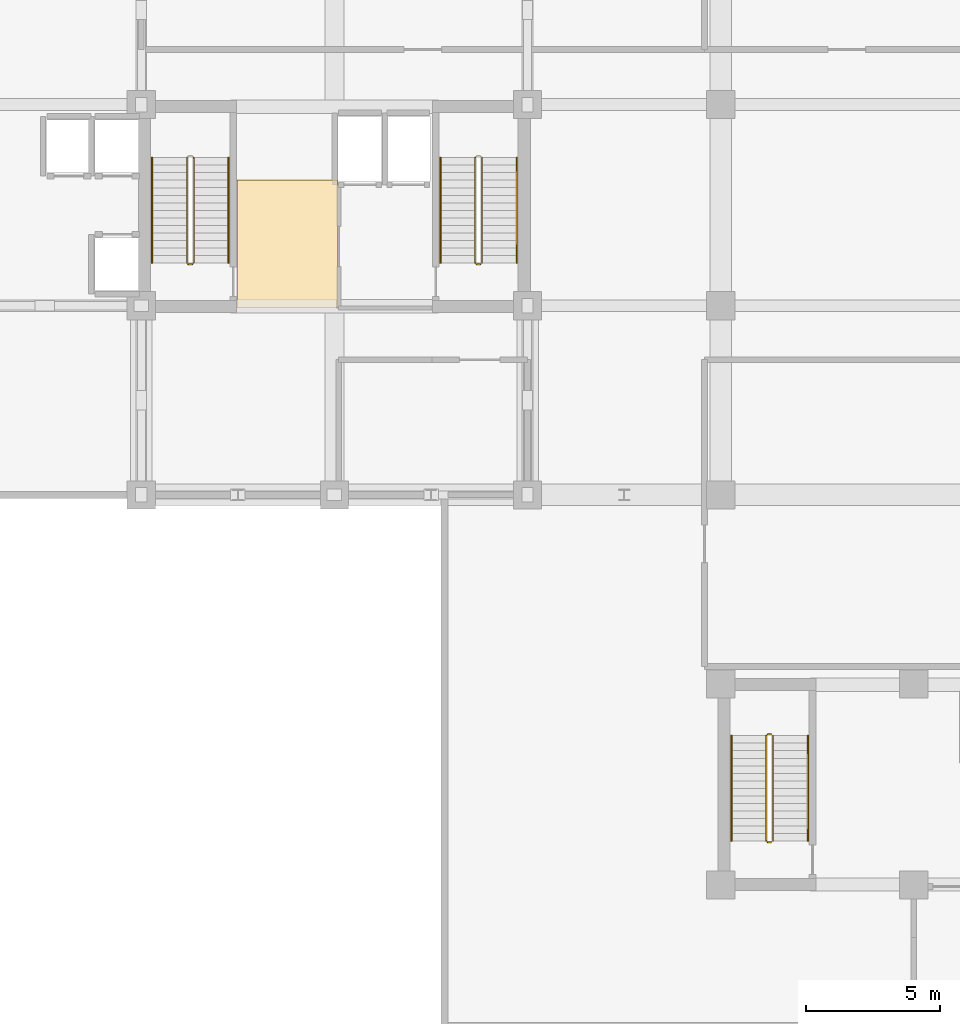
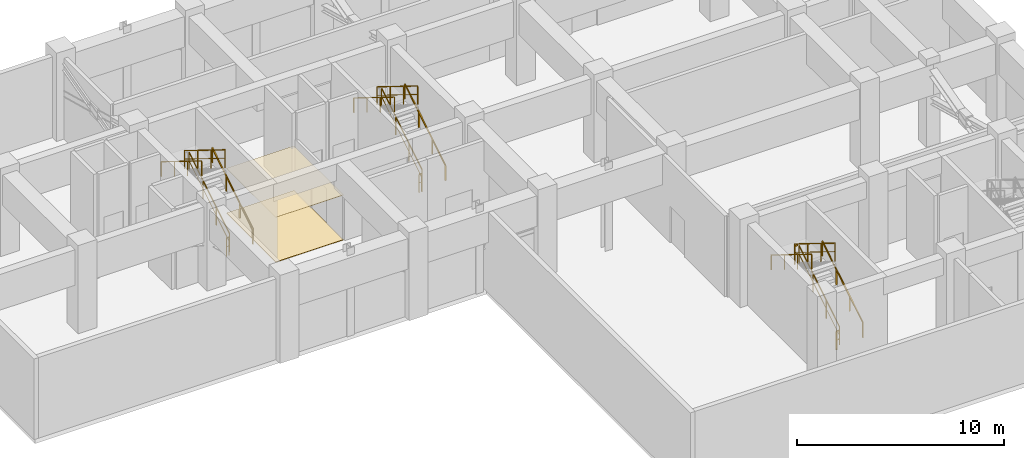
# One storey, part 7 of 10: 16 railings, 2 coverings.
"""IFC4 building model written with IfcOpenShell, lengths in metres."""

from ifc_helpers import new_model, si_unit, direction, frame, origin, origin_2d, place, context, subcontext, project, spatial, rectangle, extrude, source, transform, mapped, material, layer, layer_set, type_object, element, save


model = new_model("IFC4")

# Units and contexts
model_context = context("Model", 3, precision=1e-05, world=origin(), true_north=direction((0.0, 1.0)))
body_context = subcontext(model_context, "Body", "Model", "MODEL_VIEW")
ifc_project = project(units=[si_unit("LENGTHUNIT", "METRE"), si_unit("AREAUNIT", "SQUARE_METRE"), si_unit("VOLUMEUNIT", "CUBIC_METRE"), si_unit("PLANEANGLEUNIT", "RADIAN"), si_unit("MASSUNIT", "GRAM", prefix="KILO")], contexts=[model_context])

# Site, building, storey
site_placement = place(None, origin())
site = spatial("IfcSite", under=ifc_project, at=site_placement, CompositionType="ELEMENT")
building_placement = place(site_placement, origin())
building = spatial("IfcBuilding", under=site, at=building_placement, Name="Kaliganga Portal Commons", CompositionType="ELEMENT")
storey_placement = place(building_placement, frame((0.0, 0.0, 192.0)))
storey = spatial("IfcBuildingStorey", under=building, at=storey_placement, Name="L49", CompositionType="ELEMENT", Elevation=192.0)

# Railings
ifc_material_1 = material(Name="Galvanized Painted Steel Balustrade", Category="steel")
railing_type_1 = type_object("IfcRailingType", Name="RLG-STAIR-GRD", PredefinedType="GUARDRAIL", material=ifc_material_1)
railing_1_placement = place(storey_placement, frame((16.35009765625, 30.25, 0.17333984375)))
element("IfcRailing", 1, at=railing_1_placement, inside=storey, type_object=railing_type_1, Name="L49 ST-A1 stair guard 1", PredefinedType="GUARDRAIL", context=body_context, shape_type="SweptSolid", body=[
    extrude(rectangle(XDim=0.048095703125, YDim=0.048095703125, at=origin_2d()), frame((0.0, 0.0, 1.07177734375), z_axis=(0.0, 0.850251603719, 0.526376491091), x_axis=(-1.0, 0.0, 0.0)), (0.0, 0.0, 1.0), 4.6103515625),
    extrude(rectangle(XDim=0.028076171875, YDim=0.028076171875, at=origin_2d()), frame((0.0, 0.0, 0.572021484375), z_axis=(0.0, 0.850251603719, 0.526376491091), x_axis=(-1.0, 0.0, 0.0)), (0.0, 0.0, 1.0), 4.6103515625),
    extrude(rectangle(XDim=0.0419921875, YDim=0.0419921875, at=origin_2d()), origin(), (0.0, 0.0, 1.0), 1.052001953125),
    extrude(rectangle(XDim=0.0419921875, YDim=0.0419921875, at=origin_2d()), frame((0.0, 1.275390625, 0.78955078125)), (0.0, 0.0, 1.0), 1.052001953125),
    extrude(rectangle(XDim=0.0419921875, YDim=0.0419921875, at=origin_2d()), frame((0.0, 2.55078125, 1.5791015625)), (0.0, 0.0, 1.0), 1.052001953125),
    extrude(rectangle(XDim=0.0419921875, YDim=0.0419921875, at=origin_2d()), frame((0.0, 3.919921875, 2.4267578125)), (0.0, 0.0, 1.0), 1.052001953125),
])
railing_2_placement = place(storey_placement, frame((16.10009765625, 34.169921875, 2.7734375)))
element("IfcRailing", 2, at=railing_2_placement, inside=storey, type_object=railing_type_1, Name="L49 ST-A1 stair guard 3", PredefinedType="GUARDRAIL", context=body_context, shape_type="SweptSolid", body=[
    extrude(rectangle(XDim=0.048095703125, YDim=0.048095703125, at=origin_2d()), frame((0.0, 0.0, 1.07177734375), z_axis=(0.0, -0.850275303828, 0.526338206574), x_axis=(1.0, 0.0, 0.0)), (0.0, 0.0, 1.0), 4.610107421875),
    extrude(rectangle(XDim=0.028076171875, YDim=0.028076171875, at=origin_2d()), frame((0.0, 0.0, 0.572021484375), z_axis=(0.0, -0.850275303828, 0.526338206574), x_axis=(1.0, 0.0, 0.0)), (0.0, 0.0, 1.0), 4.610107421875),
    extrude(rectangle(XDim=0.0419921875, YDim=0.0419921875, at=origin_2d()), origin(), (0.0, 0.0, 1.0), 1.052001953125),
    extrude(rectangle(XDim=0.0419921875, YDim=0.0419921875, at=origin_2d()), frame((0.0, -1.275390625, 0.78955078125)), (0.0, 0.0, 1.0), 1.052001953125),
    extrude(rectangle(XDim=0.0419921875, YDim=0.0419921875, at=origin_2d()), frame((0.0, -2.55078125, 1.5791015625)), (0.0, 0.0, 1.0), 1.052001953125),
    extrude(rectangle(XDim=0.0419921875, YDim=0.0419921875, at=origin_2d()), frame((0.0, -3.919921875, 2.426513671875)), (0.0, 0.0, 1.0), 1.052001953125),
])
railing_3_placement = place(storey_placement, frame((16.300048828125, 30.199951171875, 0.0)))
element("IfcRailing", 3, at=railing_3_placement, inside=storey, type_object=railing_type_1, Name="L49 ST-A1 stair guard 4", PredefinedType="GUARDRAIL", context=body_context, shape_type="SweptSolid", body=[
    extrude(rectangle(XDim=0.048095703125, YDim=0.048095703125, at=origin_2d()), frame((0.0, 0.0, 1.076171875), z_axis=(-1.0, 0.0, 0.0), x_axis=(0.0, -1.0, 0.0)), (0.0, 0.0, 1.0), 0.150146484375),
    extrude(rectangle(XDim=0.028076171875, YDim=0.028076171875, at=origin_2d()), frame((0.0, 0.0, 0.572021484375), z_axis=(-1.0, 0.0, 0.0), x_axis=(0.0, -1.0, 0.0)), (0.0, 0.0, 1.0), 0.150146484375),
    extrude(rectangle(XDim=0.0419921875, YDim=0.0419921875, at=origin_2d()), origin(), (0.0, 0.0, 1.0), 1.052001953125),
    extrude(rectangle(XDim=0.0419921875, YDim=0.0419921875, at=origin_2d()), frame((-0.150146484375, 0.0, 0.0)), (0.0, 0.0, 1.0), 1.052001953125),
])
railing_4_placement = place(storey_placement, frame((27.10009765625, 30.25, 0.17333984375)))
element("IfcRailing", 4, at=railing_4_placement, inside=storey, type_object=railing_type_1, Name="L49 ST-A2 stair guard 1", PredefinedType="GUARDRAIL", context=body_context, shape_type="SweptSolid", body=[
    extrude(rectangle(XDim=0.048095703125, YDim=0.048095703125, at=origin_2d()), frame((0.0, 0.0, 1.07177734375), z_axis=(0.0, 0.850251603719, 0.526376491091), x_axis=(-1.0, 0.0, 0.0)), (0.0, 0.0, 1.0), 4.6103515625),
    extrude(rectangle(XDim=0.028076171875, YDim=0.028076171875, at=origin_2d()), frame((0.0, 0.0, 0.572021484375), z_axis=(0.0, 0.850251603719, 0.526376491091), x_axis=(-1.0, 0.0, 0.0)), (0.0, 0.0, 1.0), 4.6103515625),
    extrude(rectangle(XDim=0.0419921875, YDim=0.0419921875, at=origin_2d()), origin(), (0.0, 0.0, 1.0), 1.052001953125),
    extrude(rectangle(XDim=0.0419921875, YDim=0.0419921875, at=origin_2d()), frame((0.0, 1.275390625, 0.78955078125)), (0.0, 0.0, 1.0), 1.052001953125),
    extrude(rectangle(XDim=0.0419921875, YDim=0.0419921875, at=origin_2d()), frame((0.0, 2.55078125, 1.5791015625)), (0.0, 0.0, 1.0), 1.052001953125),
    extrude(rectangle(XDim=0.0419921875, YDim=0.0419921875, at=origin_2d()), frame((0.0, 3.919921875, 2.4267578125)), (0.0, 0.0, 1.0), 1.052001953125),
])
railing_5_placement = place(storey_placement, frame((26.85009765625, 34.169921875, 2.7734375)))
element("IfcRailing", 5, at=railing_5_placement, inside=storey, type_object=railing_type_1, Name="L49 ST-A2 stair guard 3", PredefinedType="GUARDRAIL", context=body_context, shape_type="SweptSolid", body=[
    extrude(rectangle(XDim=0.048095703125, YDim=0.048095703125, at=origin_2d()), frame((0.0, 0.0, 1.07177734375), z_axis=(0.0, -0.850275303828, 0.526338206574), x_axis=(1.0, 0.0, 0.0)), (0.0, 0.0, 1.0), 4.610107421875),
    extrude(rectangle(XDim=0.028076171875, YDim=0.028076171875, at=origin_2d()), frame((0.0, 0.0, 0.572021484375), z_axis=(0.0, -0.850275303828, 0.526338206574), x_axis=(1.0, 0.0, 0.0)), (0.0, 0.0, 1.0), 4.610107421875),
    extrude(rectangle(XDim=0.0419921875, YDim=0.0419921875, at=origin_2d()), origin(), (0.0, 0.0, 1.0), 1.052001953125),
    extrude(rectangle(XDim=0.0419921875, YDim=0.0419921875, at=origin_2d()), frame((0.0, -1.275390625, 0.78955078125)), (0.0, 0.0, 1.0), 1.052001953125),
    extrude(rectangle(XDim=0.0419921875, YDim=0.0419921875, at=origin_2d()), frame((0.0, -2.55078125, 1.5791015625)), (0.0, 0.0, 1.0), 1.052001953125),
    extrude(rectangle(XDim=0.0419921875, YDim=0.0419921875, at=origin_2d()), frame((0.0, -3.919921875, 2.426513671875)), (0.0, 0.0, 1.0), 1.052001953125),
])
railing_6_placement = place(storey_placement, frame((27.050048828125, 30.199951171875, 0.0)))
element("IfcRailing", 6, at=railing_6_placement, inside=storey, type_object=railing_type_1, Name="L49 ST-A2 stair guard 4", PredefinedType="GUARDRAIL", context=body_context, shape_type="SweptSolid", body=[
    extrude(rectangle(XDim=0.048095703125, YDim=0.048095703125, at=origin_2d()), frame((0.0, 0.0, 1.076171875), z_axis=(-1.0, 0.0, 0.0), x_axis=(0.0, -1.0, 0.0)), (0.0, 0.0, 1.0), 0.150146484375),
    extrude(rectangle(XDim=0.028076171875, YDim=0.028076171875, at=origin_2d()), frame((0.0, 0.0, 0.572021484375), z_axis=(-1.0, 0.0, 0.0), x_axis=(0.0, -1.0, 0.0)), (0.0, 0.0, 1.0), 0.150146484375),
    extrude(rectangle(XDim=0.0419921875, YDim=0.0419921875, at=origin_2d()), origin(), (0.0, 0.0, 1.0), 1.052001953125),
    extrude(rectangle(XDim=0.0419921875, YDim=0.0419921875, at=origin_2d()), frame((-0.150146484375, 0.0, 0.0)), (0.0, 0.0, 1.0), 1.052001953125),
])
railing_7_placement = place(storey_placement, frame((37.949951171875, 8.699951171875, 0.17333984375)))
element("IfcRailing", 7, at=railing_7_placement, inside=storey, type_object=railing_type_1, Name="L49 ST-B1 stair guard 1", PredefinedType="GUARDRAIL", context=body_context, shape_type="SweptSolid", body=[
    extrude(rectangle(XDim=0.048095703125, YDim=0.048095703125, at=origin_2d()), frame((0.0, 0.0, 1.07177734375), z_axis=(0.0, 0.850266275192, 0.526352791643), x_axis=(-1.0, 0.0, 0.0)), (0.0, 0.0, 1.0), 4.610595703125),
    extrude(rectangle(XDim=0.028076171875, YDim=0.028076171875, at=origin_2d()), frame((0.0, 0.0, 0.572021484375), z_axis=(0.0, 0.850266275192, 0.526352791643), x_axis=(-1.0, 0.0, 0.0)), (0.0, 0.0, 1.0), 4.610595703125),
    extrude(rectangle(XDim=0.0419921875, YDim=0.0419921875, at=origin_2d()), origin(), (0.0, 0.0, 1.0), 1.052001953125),
    extrude(rectangle(XDim=0.0419921875, YDim=0.0419921875, at=origin_2d()), frame((0.0, 1.275390625, 0.78955078125)), (0.0, 0.0, 1.0), 1.052001953125),
    extrude(rectangle(XDim=0.0419921875, YDim=0.0419921875, at=origin_2d()), frame((0.0, 2.55078125, 1.5791015625)), (0.0, 0.0, 1.0), 1.052001953125),
    extrude(rectangle(XDim=0.0419921875, YDim=0.0419921875, at=origin_2d()), frame((0.0, 3.920166015625, 2.4267578125)), (0.0, 0.0, 1.0), 1.052001953125),
])
railing_8_placement = place(storey_placement, frame((37.89990234375, 12.669921875, 2.60009765625)))
element("IfcRailing", 8, at=railing_8_placement, inside=storey, type_object=railing_type_1, Name="L49 ST-B1 stair guard 2", PredefinedType="GUARDRAIL", context=body_context, shape_type="SweptSolid", body=[
    extrude(rectangle(XDim=0.048095703125, YDim=0.048095703125, at=origin_2d()), frame((0.0, 0.0, 1.076171875), z_axis=(-1.0, 0.0, 0.0), x_axis=(0.0, -1.0, 0.0)), (0.0, 0.0, 1.0), 0.14990234375),
    extrude(rectangle(XDim=0.028076171875, YDim=0.028076171875, at=origin_2d()), frame((0.0, 0.0, 0.572021484375), z_axis=(-1.0, 0.0, 0.0), x_axis=(0.0, -1.0, 0.0)), (0.0, 0.0, 1.0), 0.14990234375),
    extrude(rectangle(XDim=0.0419921875, YDim=0.0419921875, at=origin_2d()), frame((-0.14990234375, 0.0, 0.0)), (0.0, 0.0, 1.0), 1.052001953125),
])
railing_9_placement = place(storey_placement, frame((37.699951171875, 12.6201171875, 2.7734375)))
element("IfcRailing", 9, at=railing_9_placement, inside=storey, type_object=railing_type_1, Name="L49 ST-B1 stair guard 3", PredefinedType="GUARDRAIL", context=body_context, shape_type="SweptSolid", body=[
    extrude(rectangle(XDim=0.048095703125, YDim=0.048095703125, at=origin_2d()), frame((0.0, 0.0, 1.07177734375), z_axis=(0.0, -0.850289973577, 0.526314507528), x_axis=(1.0, 0.0, 0.0)), (0.0, 0.0, 1.0), 4.6103515625),
    extrude(rectangle(XDim=0.028076171875, YDim=0.028076171875, at=origin_2d()), frame((0.0, 0.0, 0.572021484375), z_axis=(0.0, -0.850289973577, 0.526314507528), x_axis=(1.0, 0.0, 0.0)), (0.0, 0.0, 1.0), 4.6103515625),
    extrude(rectangle(XDim=0.0419921875, YDim=0.0419921875, at=origin_2d()), origin(), (0.0, 0.0, 1.0), 1.052001953125),
    extrude(rectangle(XDim=0.0419921875, YDim=0.0419921875, at=origin_2d()), frame((0.0, -1.275390625, 0.78955078125)), (0.0, 0.0, 1.0), 1.052001953125),
    extrude(rectangle(XDim=0.0419921875, YDim=0.0419921875, at=origin_2d()), frame((0.0, -2.55078125, 1.578857421875)), (0.0, 0.0, 1.0), 1.052001953125),
    extrude(rectangle(XDim=0.0419921875, YDim=0.0419921875, at=origin_2d()), frame((0.0, -3.920166015625, 2.426513671875)), (0.0, 0.0, 1.0), 1.052001953125),
])
railing_10_placement = place(storey_placement, frame((37.89990234375, 8.64990234375, 0.0)))
element("IfcRailing", 10, at=railing_10_placement, inside=storey, type_object=railing_type_1, Name="L49 ST-B1 stair guard 4", PredefinedType="GUARDRAIL", context=body_context, shape_type="SweptSolid", body=[
    extrude(rectangle(XDim=0.048095703125, YDim=0.048095703125, at=origin_2d()), frame((0.0, 0.0, 1.076171875), z_axis=(-1.0, 0.0, 0.0), x_axis=(0.0, -1.0, 0.0)), (0.0, 0.0, 1.0), 0.14990234375),
    extrude(rectangle(XDim=0.028076171875, YDim=0.028076171875, at=origin_2d()), frame((0.0, 0.0, 0.572021484375), z_axis=(-1.0, 0.0, 0.0), x_axis=(0.0, -1.0, 0.0)), (0.0, 0.0, 1.0), 0.14990234375),
    extrude(rectangle(XDim=0.0419921875, YDim=0.0419921875, at=origin_2d()), frame((-0.14990234375, 0.0, 0.0)), (0.0, 0.0, 1.0), 1.052001953125),
])
ifc_material_2 = material(Name="Brushed Stainless Steel 316", Category="steel")
railing_type_2 = type_object("IfcRailingType", Name="RLG-STAIR-HR", PredefinedType="HANDRAIL", material=ifc_material_2)
railing_11_placement = place(storey_placement, frame((17.64990234375, 30.25, 0.17333984375)))
element("IfcRailing", 11, at=railing_11_placement, inside=storey, type_object=railing_type_2, Name="L49 ST-A1 stair handrail 1", PredefinedType="HANDRAIL", context=body_context, shape_type="SweptSolid", body=[
    extrude(rectangle(XDim=0.048095703125, YDim=0.048095703125, at=origin_2d()), frame((0.0, 0.0, 0.87158203125), z_axis=(0.0, 0.850251603719, 0.526376491091), x_axis=(-1.0, 0.0, 0.0)), (0.0, 0.0, 1.0), 4.6103515625),
    extrude(rectangle(XDim=0.0419921875, YDim=0.0419921875, at=origin_2d()), origin(), (0.0, 0.0, 1.0), 0.851806640625),
    extrude(rectangle(XDim=0.0419921875, YDim=0.0419921875, at=origin_2d()), frame((0.0, 1.275390625, 0.78955078125)), (0.0, 0.0, 1.0), 0.851806640625),
    extrude(rectangle(XDim=0.0419921875, YDim=0.0419921875, at=origin_2d()), frame((0.0, 2.55078125, 1.5791015625)), (0.0, 0.0, 1.0), 0.851806640625),
    extrude(rectangle(XDim=0.0419921875, YDim=0.0419921875, at=origin_2d()), frame((0.0, 3.919921875, 2.4267578125)), (0.0, 0.0, 1.0), 0.851806640625),
])
railing_12_placement = place(storey_placement, frame((14.800048828125, 34.169921875, 2.7734375)))
element("IfcRailing", 12, at=railing_12_placement, inside=storey, type_object=railing_type_2, Name="L49 ST-A1 stair handrail 2", PredefinedType="HANDRAIL", context=body_context, shape_type="SweptSolid", body=[
    extrude(rectangle(XDim=0.048095703125, YDim=0.048095703125, at=origin_2d()), frame((0.0, 0.0, 0.87158203125), z_axis=(0.0, -0.850275303828, 0.526338206574), x_axis=(1.0, 0.0, 0.0)), (0.0, 0.0, 1.0), 4.610107421875),
    extrude(rectangle(XDim=0.0419921875, YDim=0.0419921875, at=origin_2d()), origin(), (0.0, 0.0, 1.0), 0.851806640625),
    extrude(rectangle(XDim=0.0419921875, YDim=0.0419921875, at=origin_2d()), frame((0.0, -1.275390625, 0.78955078125)), (0.0, 0.0, 1.0), 0.851806640625),
    extrude(rectangle(XDim=0.0419921875, YDim=0.0419921875, at=origin_2d()), frame((0.0, -2.55078125, 1.5791015625)), (0.0, 0.0, 1.0), 0.851806640625),
    extrude(rectangle(XDim=0.0419921875, YDim=0.0419921875, at=origin_2d()), frame((0.0, -3.919921875, 2.426513671875)), (0.0, 0.0, 1.0), 0.851806640625),
])
railing_13_placement = place(storey_placement, frame((28.39990234375, 30.25, 0.17333984375)))
element("IfcRailing", 13, at=railing_13_placement, inside=storey, type_object=railing_type_2, Name="L49 ST-A2 stair handrail 1", PredefinedType="HANDRAIL", context=body_context, shape_type="SweptSolid", body=[
    extrude(rectangle(XDim=0.048095703125, YDim=0.048095703125, at=origin_2d()), frame((0.0, 0.0, 0.87158203125), z_axis=(0.0, 0.850251603719, 0.526376491091), x_axis=(-1.0, 0.0, 0.0)), (0.0, 0.0, 1.0), 4.6103515625),
    extrude(rectangle(XDim=0.0419921875, YDim=0.0419921875, at=origin_2d()), origin(), (0.0, 0.0, 1.0), 0.851806640625),
    extrude(rectangle(XDim=0.0419921875, YDim=0.0419921875, at=origin_2d()), frame((0.0, 1.275390625, 0.78955078125)), (0.0, 0.0, 1.0), 0.851806640625),
    extrude(rectangle(XDim=0.0419921875, YDim=0.0419921875, at=origin_2d()), frame((0.0, 2.55078125, 1.5791015625)), (0.0, 0.0, 1.0), 0.851806640625),
    extrude(rectangle(XDim=0.0419921875, YDim=0.0419921875, at=origin_2d()), frame((0.0, 3.919921875, 2.4267578125)), (0.0, 0.0, 1.0), 0.851806640625),
])
railing_14_placement = place(storey_placement, frame((25.550048828125, 34.169921875, 2.7734375)))
element("IfcRailing", 14, at=railing_14_placement, inside=storey, type_object=railing_type_2, Name="L49 ST-A2 stair handrail 2", PredefinedType="HANDRAIL", context=body_context, shape_type="SweptSolid", body=[
    extrude(rectangle(XDim=0.048095703125, YDim=0.048095703125, at=origin_2d()), frame((0.0, 0.0, 0.87158203125), z_axis=(0.0, -0.850275303828, 0.526338206574), x_axis=(1.0, 0.0, 0.0)), (0.0, 0.0, 1.0), 4.610107421875),
    extrude(rectangle(XDim=0.0419921875, YDim=0.0419921875, at=origin_2d()), origin(), (0.0, 0.0, 1.0), 0.851806640625),
    extrude(rectangle(XDim=0.0419921875, YDim=0.0419921875, at=origin_2d()), frame((0.0, -1.275390625, 0.78955078125)), (0.0, 0.0, 1.0), 0.851806640625),
    extrude(rectangle(XDim=0.0419921875, YDim=0.0419921875, at=origin_2d()), frame((0.0, -2.55078125, 1.5791015625)), (0.0, 0.0, 1.0), 0.851806640625),
    extrude(rectangle(XDim=0.0419921875, YDim=0.0419921875, at=origin_2d()), frame((0.0, -3.919921875, 2.426513671875)), (0.0, 0.0, 1.0), 0.851806640625),
])
railing_15_placement = place(storey_placement, frame((39.25, 8.699951171875, 0.17333984375)))
element("IfcRailing", 15, at=railing_15_placement, inside=storey, type_object=railing_type_2, Name="L49 ST-B1 stair handrail 1", PredefinedType="HANDRAIL", context=body_context, shape_type="SweptSolid", body=[
    extrude(rectangle(XDim=0.048095703125, YDim=0.048095703125, at=origin_2d()), frame((0.0, 0.0, 0.87158203125), z_axis=(0.0, 0.850266275192, 0.526352791643), x_axis=(-1.0, 0.0, 0.0)), (0.0, 0.0, 1.0), 4.610595703125),
    extrude(rectangle(XDim=0.0419921875, YDim=0.0419921875, at=origin_2d()), origin(), (0.0, 0.0, 1.0), 0.851806640625),
    extrude(rectangle(XDim=0.0419921875, YDim=0.0419921875, at=origin_2d()), frame((0.0, 1.275390625, 0.78955078125)), (0.0, 0.0, 1.0), 0.851806640625),
    extrude(rectangle(XDim=0.0419921875, YDim=0.0419921875, at=origin_2d()), frame((0.0, 2.55078125, 1.5791015625)), (0.0, 0.0, 1.0), 0.851806640625),
    extrude(rectangle(XDim=0.0419921875, YDim=0.0419921875, at=origin_2d()), frame((0.0, 3.920166015625, 2.4267578125)), (0.0, 0.0, 1.0), 0.851806640625),
])
railing_16_placement = place(storey_placement, frame((36.39990234375, 12.6201171875, 2.7734375)))
element("IfcRailing", 16, at=railing_16_placement, inside=storey, type_object=railing_type_2, Name="L49 ST-B1 stair handrail 2", PredefinedType="HANDRAIL", context=body_context, shape_type="SweptSolid", body=[
    extrude(rectangle(XDim=0.048095703125, YDim=0.048095703125, at=origin_2d()), frame((0.0, 0.0, 0.87158203125), z_axis=(0.0, -0.850289973577, 0.526314507528), x_axis=(1.0, 0.0, 0.0)), (0.0, 0.0, 1.0), 4.6103515625),
    extrude(rectangle(XDim=0.0419921875, YDim=0.0419921875, at=origin_2d()), origin(), (0.0, 0.0, 1.0), 0.851806640625),
    extrude(rectangle(XDim=0.0419921875, YDim=0.0419921875, at=origin_2d()), frame((0.0, -1.275390625, 0.78955078125)), (0.0, 0.0, 1.0), 0.851806640625),
    extrude(rectangle(XDim=0.0419921875, YDim=0.0419921875, at=origin_2d()), frame((0.0, -2.55078125, 1.578857421875)), (0.0, 0.0, 1.0), 0.851806640625),
    extrude(rectangle(XDim=0.0419921875, YDim=0.0419921875, at=origin_2d()), frame((0.0, -3.920166015625, 2.426513671875)), (0.0, 0.0, 1.0), 0.851806640625),
])

# Coverings
ifc_material_3 = material(Name="Acoustic Micro-Perforated Gypsum Ceiling", Category="gypsum")
ifc_layer_1 = layer(ifc_material_3, 0.02001953125)
ifc_layer_set_1 = layer_set([ifc_layer_1], Name="Acoustic Micro-Perforated Gypsum Ceiling")
covering_type_1 = type_object("IfcCoveringType", Name="COV-CEIL-GYP", PredefinedType="CEILING", material=ifc_layer_set_1)
shared_shape_1 = source(origin(), body_context, "Body", "SweptSolid", [
    extrude(rectangle(XDim=3.780029296875, YDim=4.780029296875, at=origin_2d()), origin(), (0.0, 0.0, 1.0), 0.02001953125),
])
covering_1_placement = place(storey_placement, frame((19.85009765625, 30.949951171875, 2.639892578125), z_axis=(0.0, 0.0, 1.0), x_axis=(1.0, 0.0, 0.0)))
element("IfcCovering", 17, at=covering_1_placement, inside=storey, type_object=covering_type_1, Name="Acoustic Ceiling L49 PLOB_A", PredefinedType="CEILING", context=body_context, shape_type="MappedRepresentation", body=[
    mapped(shared_shape_1, transform((0.0, 0.0, 0.0), x_axis=(1.0, 0.0, 0.0), y_axis=(0.0, 1.0, 0.0), z_axis=(0.0, 0.0, 1.0), scale=1.0)),
])
ifc_material_4 = material(Name="Polished Sylhet Stone Terrazzo Flooring", Category="masonry")
ifc_layer_2 = layer(ifc_material_4, 0.02490234375)
ifc_layer_set_2 = layer_set([ifc_layer_2], Name="Polished Sylhet Stone Terrazzo Flooring")
covering_type_2 = type_object("IfcCoveringType", Name="COV-FLR-TERRAZZO", PredefinedType="FLOORING", material=ifc_layer_set_2)
shared_shape_2 = source(origin(), body_context, "Body", "SweptSolid", [
    extrude(rectangle(XDim=3.780029296875, YDim=4.780029296875, at=origin_2d()), origin(), (0.0, 0.0, 1.0), 0.02490234375),
])
covering_2_placement = place(storey_placement, frame((19.85009765625, 30.949951171875, 0.00048828125), z_axis=(0.0, 0.0, 1.0), x_axis=(1.0, 0.0, 0.0)))
element("IfcCovering", 18, at=covering_2_placement, inside=storey, type_object=covering_type_2, Name="Terrazzo Flooring L49 PLOB_A", PredefinedType="FLOORING", context=body_context, shape_type="MappedRepresentation", body=[
    mapped(shared_shape_2, transform((0.0, 0.0, 0.0), x_axis=(1.0, 0.0, 0.0), y_axis=(0.0, 1.0, 0.0), z_axis=(0.0, 0.0, 1.0), scale=1.0)),
])

save(model, "model.ifc")
